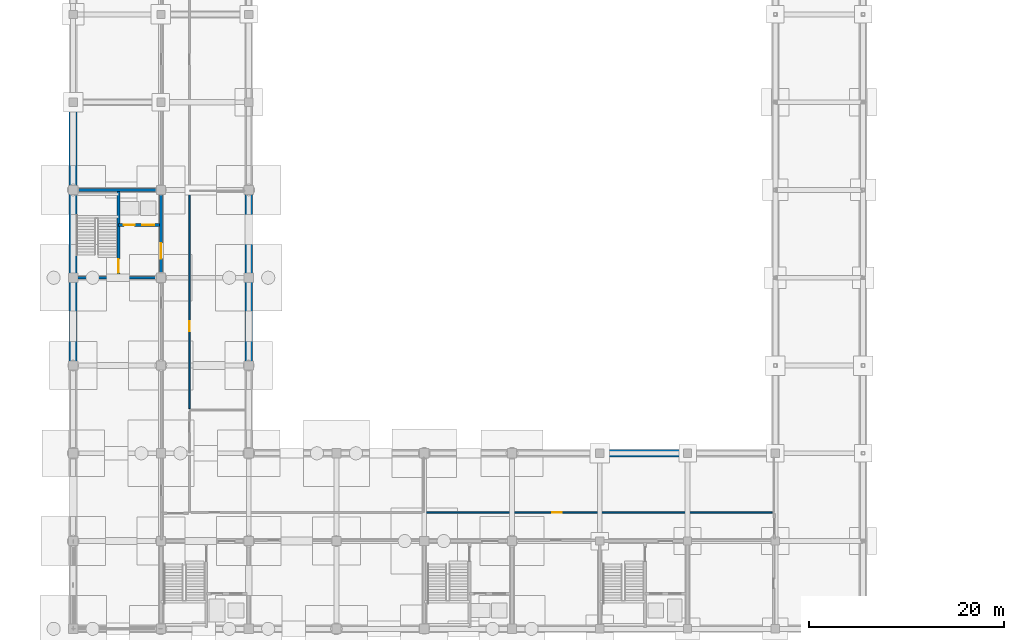
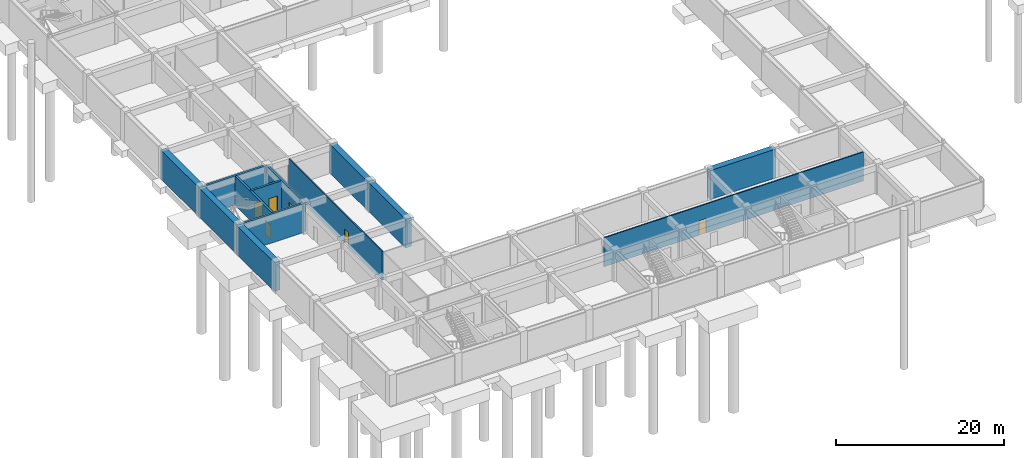
# One storey, part 24 of 41: 13 walls, 6 doors, 6 openings.
"""IFC4 building model written with IfcOpenShell, lengths in metres."""

from ifc_helpers import new_model, si_unit, direction, frame, frame_2d, origin, place, context, subcontext, project, spatial, rectangle, extrude, material, layer, layer_set, type_object, element, fill, save


model = new_model("IFC4")

# Units and contexts
model_context = context("Model", 3, precision=1e-05, world=origin(), true_north=direction((0.0, 1.0)))
body_context = subcontext(model_context, "Body", "Model", "MODEL_VIEW")
ifc_project = project(units=[si_unit("LENGTHUNIT", "METRE"), si_unit("AREAUNIT", "SQUARE_METRE"), si_unit("VOLUMEUNIT", "CUBIC_METRE"), si_unit("PLANEANGLEUNIT", "RADIAN"), si_unit("MASSUNIT", "GRAM", prefix="KILO")], contexts=[model_context])

# Site, building, storey
site_placement = place(None, origin())
site = spatial("IfcSite", under=ifc_project, at=site_placement, CompositionType="ELEMENT")
building_placement = place(site_placement, origin())
building = spatial("IfcBuilding", under=site, at=building_placement, Name="Palais des Congres Ocreval", CompositionType="ELEMENT")
storey_placement = place(building_placement, frame((0.0, 0.0, -8.9599609375)))
storey = spatial("IfcBuildingStorey", under=building, at=storey_placement, Name="B2", CompositionType="ELEMENT", Elevation=-8.9599609375)

# Wall
ifc_material_1 = material(Name="Concrete C40/50", Category="concrete")
ifc_layer_1 = layer(ifc_material_1, 0.300048828125)
ifc_layer_set_1 = layer_set([ifc_layer_1], Name="Core Shear Wall 300 Concrete C40/50")
wall_type_1 = type_object("IfcWallType", Name="Core Shear Wall 300 Concrete C40/50", PredefinedType="SHEAR", material=ifc_layer_set_1)
wall_1_placement = place(storey_placement, frame((0.0, 36.0, 0.0), z_axis=(0.0, 0.0, 1.0), x_axis=(1.0, 0.0, 0.0)))
element("IfcWall", 1, at=wall_1_placement, inside=storey, type_object=wall_type_1, Name="Core Shear Wall SC03 B2 S", PredefinedType="SHEAR", context=body_context, shape_type="SweptSolid", body=[
    extrude(rectangle(XDim=9.0, YDim=0.300048828125, at=frame_2d((4.5, 0.0))), origin(), (0.0, 0.0, 1.0), 4.199951171875),
])

# Wall, opening, door
wall_2_placement = place(storey_placement, frame((9.0, 36.0, 0.0), z_axis=(0.0, 0.0, 1.0), x_axis=(0.0, 1.0, 0.0)))
wall_2 = element("IfcWall", 2, at=wall_2_placement, inside=storey, type_object=wall_type_1, Name="Core Shear Wall SC03 B2 E", PredefinedType="SHEAR", context=body_context, shape_type="SweptSolid", body=[
    extrude(rectangle(XDim=9.0, YDim=0.300048828125, at=frame_2d((4.5, 0.0))), origin(), (0.0, 0.0, 1.0), 4.199951171875),
])
opening_1_placement = place(wall_2_placement, frame((1.949951171875, 0.0, 0.0)))
opening_1 = element("IfcOpeningElement", 3, at=opening_1_placement, cuts=wall_2, Name="Opening D02", PredefinedType="OPENING", context=body_context, shape_type="SweptSolid", body=[
    extrude(rectangle(XDim=1.60009765625, YDim=2.10009765625, at=frame_2d((0.800048828125, 1.050048828125))), frame((0.0, 0.159912109375, 0.0), z_axis=(0.0, -1.0, 0.0), x_axis=(1.0, 0.0, 0.0)), (0.0, 0.0, 1.0), 0.320068359375),
])
ifc_material_2 = material(Name="Painted fire-rated steel", Category="steel")
door_type_1 = type_object("IfcDoorType", Name="Firefighting Lobby Rated Door 1600x2100", OperationType="NOTDEFINED", PredefinedType="DOOR", material=ifc_material_2)
door_1_placement = place(opening_1_placement, origin())
door_1 = element("IfcDoor", 4, at=door_1_placement, inside=storey, type_object=door_type_1, Name="Firefighting Lobby Entrance Door SC03 B2", OperationType="DOUBLE_DOOR_SINGLE_SWING", OverallHeight=2.10009765625, OverallWidth=1.60009765625, PredefinedType="DOOR", context=body_context, shape_type="SweptSolid", body=[
    extrude(rectangle(XDim=1.60009765625, YDim=2.10009765625, at=frame_2d((0.800048828125, 1.050048828125))), frame((0.0, 0.02490234375, 0.0), z_axis=(0.0, -1.0, 0.0), x_axis=(1.0, 0.0, 0.0)), (0.0, 0.0, 1.0), 0.050048828125),
])
fill(opening_1, door_1)

# Wall
wall_3_placement = place(storey_placement, frame((0.0, 45.0, 0.0), z_axis=(0.0, 0.0, 1.0), x_axis=(1.0, 0.0, 0.0)))
element("IfcWall", 5, at=wall_3_placement, inside=storey, type_object=wall_type_1, Name="Core Shear Wall SC03 B2 N", PredefinedType="SHEAR", context=body_context, shape_type="SweptSolid", body=[
    extrude(rectangle(XDim=9.0, YDim=0.300048828125, at=frame_2d((4.5, 0.0))), origin(), (0.0, 0.0, 1.0), 4.199951171875),
])

# Wall, opening, door
wall_4_placement = place(storey_placement, frame((4.64990234375, 36.14990234375, 0.0), z_axis=(0.0, 0.0, 1.0), x_axis=(0.0, 1.0, 0.0)))
wall_4 = element("IfcWall", 6, at=wall_4_placement, inside=storey, type_object=wall_type_1, Name="Core Spine Shear Wall SC03 B2", PredefinedType="SHEAR", context=body_context, shape_type="SweptSolid", body=[
    extrude(rectangle(XDim=8.7001953125, YDim=0.300048828125, at=frame_2d((4.35009765625, 0.0))), origin(), (0.0, 0.0, 1.0), 4.199951171875),
])
opening_2_placement = place(wall_4_placement, frame((0.35009765625, 0.0, 0.0)))
opening_2 = element("IfcOpeningElement", 7, at=opening_2_placement, cuts=wall_4, Name="Opening D03", PredefinedType="OPENING", context=body_context, shape_type="SweptSolid", body=[
    extrude(rectangle(XDim=1.39990234375, YDim=2.02001953125, at=frame_2d((0.699951171875, 1.010009765625))), frame((0.0, 0.159912109375, 0.0), z_axis=(0.0, -1.0, 0.0), x_axis=(1.0, 0.0, 0.0)), (0.0, 0.0, 1.0), 0.320068359375),
])
door_type_2 = type_object("IfcDoorType", Name="Core Lobby Rated Door 1400x2020", OperationType="NOTDEFINED", PredefinedType="DOOR", material=ifc_material_2)
door_2_placement = place(opening_2_placement, origin())
door_2 = element("IfcDoor", 8, at=door_2_placement, inside=storey, type_object=door_type_2, Name="Protected Exit Stair Door ST03 B2", OperationType="SINGLE_SWING_LEFT", OverallHeight=2.02001953125, OverallWidth=1.39990234375, PredefinedType="DOOR", context=body_context, shape_type="SweptSolid", body=[
    extrude(rectangle(XDim=1.39990234375, YDim=2.02001953125, at=frame_2d((0.699951171875, 1.010009765625))), frame((0.0, 0.02490234375, 0.0), z_axis=(0.0, -1.0, 0.0), x_axis=(1.0, 0.0, 0.0)), (0.0, 0.0, 1.0), 0.050048828125),
])
fill(opening_2, door_2)

# Wall, openings, doors
wall_5_placement = place(storey_placement, frame((4.64990234375, 41.39990234375, 0.0), z_axis=(0.0, 0.0, 1.0), x_axis=(1.0, 0.0, 0.0)))
wall_5 = element("IfcWall", 9, at=wall_5_placement, inside=storey, type_object=wall_type_1, Name="Lift Shaft Front Wall SC03 B2", PredefinedType="SHEAR", context=body_context, shape_type="SweptSolid", body=[
    extrude(rectangle(XDim=4.2001953125, YDim=0.300048828125, at=frame_2d((2.10009765625, 0.0))), origin(), (0.0, 0.0, 1.0), 4.199951171875),
])
opening_3_placement = place(wall_5_placement, frame((0.550048828125, 0.0, 0.0)))
opening_3 = element("IfcOpeningElement", 10, at=opening_3_placement, cuts=wall_5, Name="Opening LD01", PredefinedType="OPENING", context=body_context, shape_type="SweptSolid", body=[
    extrude(rectangle(XDim=1.10009765625, YDim=2.10009765625, at=frame_2d((0.550048828125, 1.050048828125))), frame((0.0, 0.159912109375, 0.0), z_axis=(0.0, -1.0, 0.0), x_axis=(1.0, 0.0, 0.0)), (0.0, 0.0, 1.0), 0.320068359375),
])
opening_4_placement = place(wall_5_placement, frame((2.449951171875, 0.0, 0.0)))
opening_4 = element("IfcOpeningElement", 11, at=opening_4_placement, cuts=wall_5, Name="Opening LD02", PredefinedType="OPENING", context=body_context, shape_type="SweptSolid", body=[
    extrude(rectangle(XDim=1.199951171875, YDim=2.199951171875, at=frame_2d((0.60009765625, 1.10009765625))), frame((0.0, 0.159912109375, 0.0), z_axis=(0.0, -1.0, 0.0), x_axis=(1.0, 0.0, 0.0)), (0.0, 0.0, 1.0), 0.320068359375),
])
ifc_material_3 = material(Name="Stainless steel", Category="steel")
door_type_3 = type_object("IfcDoorType", Name="Firefighting Lift Sliding Landing Door 1100x2100", OperationType="NOTDEFINED", PredefinedType="DOOR", material=ifc_material_3)
door_3_placement = place(opening_3_placement, origin())
door_3 = element("IfcDoor", 12, at=door_3_placement, inside=storey, type_object=door_type_3, Name="Lift Landing Sliding Door FF3 B2", OperationType="DOUBLE_DOOR_SLIDING", OverallHeight=2.10009765625, OverallWidth=1.10009765625, PredefinedType="DOOR", context=body_context, shape_type="SweptSolid", body=[
    extrude(rectangle(XDim=1.10009765625, YDim=2.10009765625, at=frame_2d((0.550048828125, 1.050048828125))), frame((0.0, 0.02490234375, 0.0), z_axis=(0.0, -1.0, 0.0), x_axis=(1.0, 0.0, 0.0)), (0.0, 0.0, 1.0), 0.050048828125),
])
fill(opening_3, door_3)
ifc_material_4 = material(Name="Anodized bronze steel", Category="steel")
door_type_4 = type_object("IfcDoorType", Name="Passenger and Service Lift Sliding Door 1200x2200", OperationType="NOTDEFINED", PredefinedType="DOOR", material=ifc_material_4)
door_4_placement = place(opening_4_placement, origin())
door_4 = element("IfcDoor", 13, at=door_4_placement, inside=storey, type_object=door_type_4, Name="Lift Landing Sliding Door PL3 B2", OperationType="DOUBLE_DOOR_SLIDING", OverallHeight=2.199951171875, OverallWidth=1.199951171875, PredefinedType="DOOR", context=body_context, shape_type="SweptSolid", body=[
    extrude(rectangle(XDim=1.199951171875, YDim=2.199951171875, at=frame_2d((0.60009765625, 1.10009765625))), frame((0.0, 0.02490234375, 0.0), z_axis=(0.0, -1.0, 0.0), x_axis=(1.0, 0.0, 0.0)), (0.0, 0.0, 1.0), 0.050048828125),
])
fill(opening_4, door_4)

# Wall, opening, door
ifc_material_5 = material(Name="Gypsum acoustic partition")
ifc_layer_2 = layer(ifc_material_5, 0.159912109375)
ifc_layer_set_2 = layer_set([ifc_layer_2], Name="Corridor Fire Partition 160 Gypsum (Gypsum acoustic partition)")
wall_type_2 = type_object("IfcWallType", Name="Corridor Fire Partition 160 Gypsum", PredefinedType="PARTITIONING", material=ifc_layer_set_2)
wall_6_placement = place(storey_placement, frame((36.090087890625, 11.93505859375, 0.0), z_axis=(0.0, 0.0, 1.0), x_axis=(1.0, 0.0, 0.0)))
wall_6 = element("IfcWall", 14, at=wall_6_placement, inside=storey, type_object=wall_type_2, Name="Interior Partition IW03 B2", PredefinedType="PARTITIONING", context=body_context, shape_type="SweptSolid", body=[
    extrude(rectangle(XDim=35.579833984375, YDim=0.159912109375, at=frame_2d((17.7900390625, 0.0))), origin(), (0.0, 0.0, 1.0), 4.199951171875),
])
opening_5_placement = place(wall_6_placement, frame((13.0205078125, 0.0, 0.0)))
opening_5 = element("IfcOpeningElement", 15, at=opening_5_placement, cuts=wall_6, Name="Opening D10", PredefinedType="OPENING", context=body_context, shape_type="SweptSolid", body=[
    extrude(rectangle(XDim=1.0, YDim=2.10009765625, at=frame_2d((0.5, 1.050048828125))), frame((0.0, 0.08984375, 0.0), z_axis=(0.0, -1.0, 0.0), x_axis=(1.0, 0.0, 0.0)), (0.0, 0.0, 1.0), 0.179931640625),
])
ifc_material_6 = material(Name="Painted steel", Category="steel")
door_type_5 = type_object("IfcDoorType", Name="Service and Pantry Door 1000x2100", OperationType="NOTDEFINED", PredefinedType="DOOR", material=ifc_material_6)
door_5_placement = place(opening_5_placement, origin())
door_5 = element("IfcDoor", 16, at=door_5_placement, inside=storey, type_object=door_type_5, Name="Interior Door D10 B2", OperationType="SINGLE_SWING_RIGHT", OverallHeight=2.10009765625, OverallWidth=1.0, PredefinedType="DOOR", context=body_context, shape_type="SweptSolid", body=[
    extrude(rectangle(XDim=1.0, YDim=2.10009765625, at=frame_2d((0.5, 1.050048828125))), frame((0.0, 0.02490234375, 0.0), z_axis=(0.0, -1.0, 0.0), x_axis=(1.0, 0.0, 0.0)), (0.0, 0.0, 1.0), 0.050048828125),
])
fill(opening_5, door_5)

wall_7_placement = place(storey_placement, frame((11.93505859375, 22.590087890625, 0.0), z_axis=(0.0, 0.0, 1.0), x_axis=(0.0, 1.0, 0.0)))
wall_7 = element("IfcWall", 17, at=wall_7_placement, inside=storey, type_object=wall_type_2, Name="Interior Partition IW03 B2", PredefinedType="PARTITIONING", context=body_context, shape_type="SweptSolid", body=[
    extrude(rectangle(XDim=22.18994140625, YDim=0.159912109375, at=frame_2d((11.094970703125, 0.0))), origin(), (0.0, 0.0, 1.0), 4.199951171875),
])
opening_6_placement = place(wall_7_placement, frame((7.93212890625, 0.0, 0.0)))
opening_6 = element("IfcOpeningElement", 18, at=opening_6_placement, cuts=wall_7, Name="Opening D10", PredefinedType="OPENING", context=body_context, shape_type="SweptSolid", body=[
    extrude(rectangle(XDim=1.0, YDim=2.10009765625, at=frame_2d((0.5, 1.050048828125))), frame((0.0, 0.08984375, 0.0), z_axis=(0.0, -1.0, 0.0), x_axis=(1.0, 0.0, 0.0)), (0.0, 0.0, 1.0), 0.179931640625),
])
door_6_placement = place(opening_6_placement, origin())
door_6 = element("IfcDoor", 19, at=door_6_placement, inside=storey, type_object=door_type_5, Name="Interior Door D10 B2", OperationType="SINGLE_SWING_LEFT", OverallHeight=2.10009765625, OverallWidth=1.0, PredefinedType="DOOR", context=body_context, shape_type="SweptSolid", body=[
    extrude(rectangle(XDim=1.0, YDim=2.10009765625, at=frame_2d((0.5, 1.050048828125))), frame((0.0, 0.02490234375, 0.0), z_axis=(0.0, -1.0, 0.0), x_axis=(1.0, 0.0, 0.0)), (0.0, 0.0, 1.0), 0.050048828125),
])
fill(opening_6, door_6)

# Walls
ifc_material_7 = material(Name="Concrete C35/45", Category="concrete")
ifc_layer_3 = layer(ifc_material_7, 0.800048828125)
ifc_layer_set_3 = layer_set([ifc_layer_3], Name="Retaining Diaphragm Wall 800 Concrete C35/45")
wall_type_3 = type_object("IfcWallType", Name="Retaining Diaphragm Wall 800 Concrete C35/45", PredefinedType="USERDEFINED", material=ifc_layer_set_3)
for number, where, z_axis, x_axis, name in (
    (20, (0.0, 27.0, 0.0), (0.0, 0.0, 1.0), (0.0, 1.0, 0.0), "Basement Diaphragm Wall RW01 B2"),
    (21, (0.0, 36.0, 0.0), (0.0, 0.0, 1.0), (0.0, 1.0, 0.0), "Basement Diaphragm Wall RW01 B2"),
    (22, (0.0, 45.0, 0.0), (0.0, 0.0, 1.0), (0.0, 1.0, 0.0), "Basement Diaphragm Wall RW01 B2"),
    (23, (18.0, 45.0, 0.0), (0.0, 0.0, 1.0), (0.0, -1.0, 0.0), "Basement Diaphragm Wall RW01 B2"),
    (24, (18.0, 36.0, 0.0), (0.0, 0.0, 1.0), (0.0, -1.0, 0.0), "Basement Diaphragm Wall RW01 B2"),
    (25, (54.0, 18.0, 0.0), (0.0, 0.0, 1.0), (1.0, 0.0, 0.0), "Basement Diaphragm Wall RW01 B2"),
):
    element("IfcWall", number, at=place(storey_placement, frame(where, z_axis=z_axis, x_axis=x_axis)), inside=storey, type_object=wall_type_3, Name=name, ObjectType="RETAININGWALL", PredefinedType="USERDEFINED", context=body_context, shape_type="SweptSolid", body=[
        extrude(rectangle(XDim=9.0, YDim=0.800048828125, at=frame_2d((4.5, 0.0))), origin(), (0.0, 0.0, 1.0), 4.199951171875),
    ])

save(model, "model.ifc")
